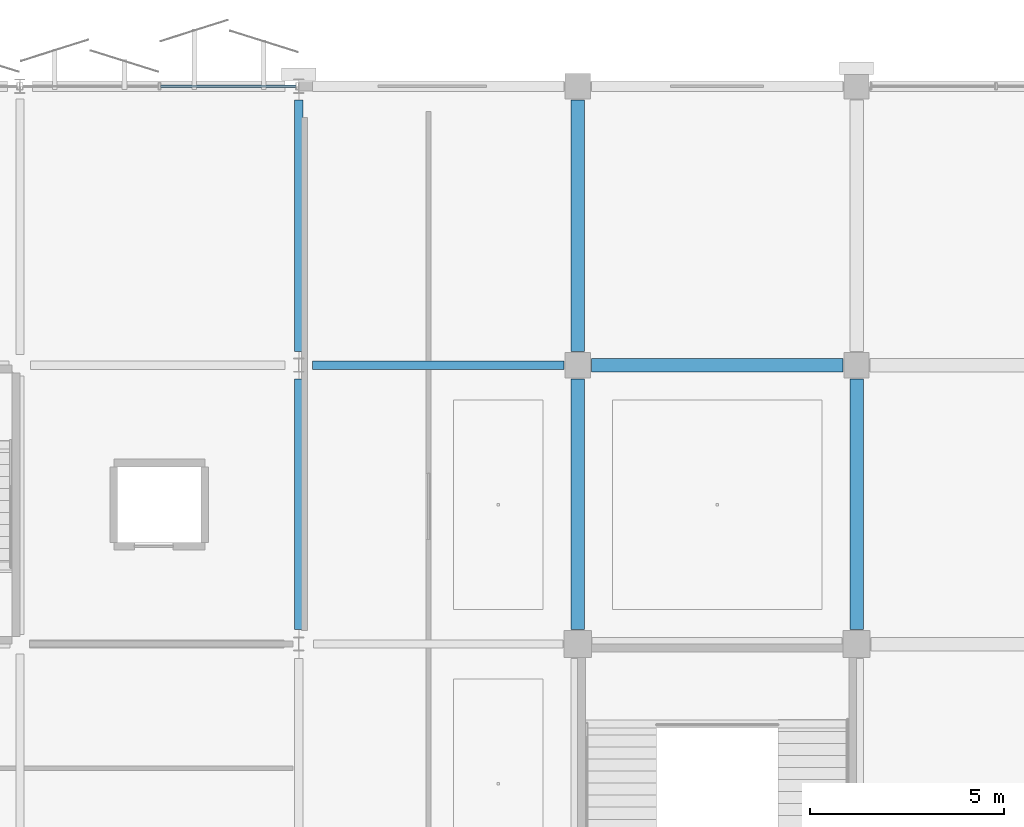
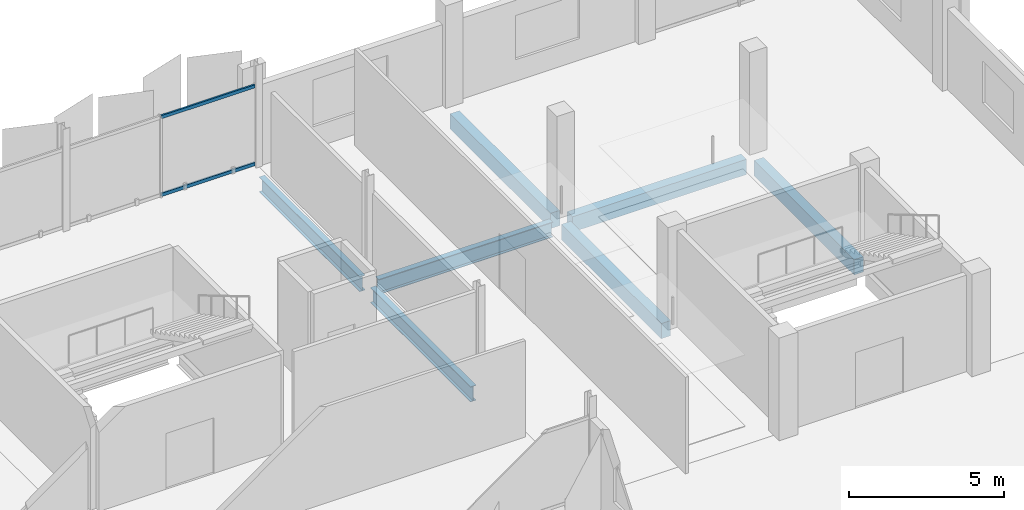
# One storey, part 56 of 91: 7 beams, 2 members, 1 element without a shape of its own.
"""IFC4 building model written with IfcOpenShell, lengths in metres."""

from ifc_helpers import new_model, si_unit, direction, frame, origin, origin_2d, place, context, subcontext, project, spatial, rectangle, hollow_rectangle, i_section, extrude, material, layer, layer_set, material_profile, profile_set, type_object, element, aggregate, save


model = new_model("IFC4")

# Units and contexts
model_context = context("Model", 3, precision=1e-05, world=origin(), true_north=direction((0.0, 1.0)))
body_context = subcontext(model_context, "Body", "Model", "MODEL_VIEW")
ifc_project = project(units=[si_unit("LENGTHUNIT", "METRE"), si_unit("AREAUNIT", "SQUARE_METRE"), si_unit("VOLUMEUNIT", "CUBIC_METRE"), si_unit("PLANEANGLEUNIT", "RADIAN"), si_unit("MASSUNIT", "GRAM", prefix="KILO")], contexts=[model_context])

# Site, building, storey
site_placement = place(None, origin())
site = spatial("IfcSite", under=ifc_project, at=site_placement, CompositionType="ELEMENT")
building_placement = place(site_placement, origin())
building = spatial("IfcBuilding", under=site, at=building_placement, Name="Kangsadwip Square Police Headquarters", CompositionType="ELEMENT")
storey_placement = place(building_placement, frame((0.0, 0.0, 13.5)))
storey = spatial("IfcBuildingStorey", under=building, at=storey_placement, Name="L03", CompositionType="ELEMENT", Elevation=13.5)

# Curtain wall, members
ifc_material_1 = material(Name="Thermally broken anodised aluminium AW-6063-T6", Category="aluminium")
ifc_layer = layer(ifc_material_1, 0.159912109375)
ifc_layer_set = layer_set([ifc_layer], Name="Thermally broken anodised aluminium AW-6063-T6")
curtain_wall_type = type_object("IfcCurtainWallType", Name="UnitisedCw7180x3200", PredefinedType="NOTDEFINED", material=ifc_layer_set)
curtain_wall_placement = place(storey_placement, origin())
curtain_wall = element("IfcCurtainWall", 1, at=curtain_wall_placement, inside=storey, type_object=curtain_wall_type, Name="Curtain Wall CW-L03-1368-1152", PredefinedType="NOTDEFINED")
ifc_material_2 = material(Name="Thermally broken anodised aluminium AW-6063-T6", Category="aluminium")
ifc_material_profile_1 = material_profile(ifc_material_2, hollow_rectangle(XDim=0.06494140625, YDim=0.1298828125, WallThickness=0.00390625, at=origin_2d()), Name="CWT 130X65X4")
ifc_profile_set_1 = profile_set([ifc_material_profile_1], Name="Thermally broken anodised aluminium AW-6063-T6")
member_type = type_object("IfcMemberType", Name="CwTransom140x60", PredefinedType="USERDEFINED", material=ifc_profile_set_1)
member_1_placement = place(storey_placement, frame((140.4326171875, 115.199951171875, 0.06494140625), z_axis=(1.0, 0.0, 0.0), x_axis=(0.0, 1.0, 0.0)))
member_1 = element("IfcMember", 2, at=member_1_placement, type_object=member_type, Name="CW-38 transom 2.1", ObjectType="TRANSOM", PredefinedType="USERDEFINED", context=body_context, shape_type="SweptSolid", body=[
    extrude(hollow_rectangle(XDim=0.06494140625, YDim=0.1298828125, WallThickness=0.00390625, at=origin_2d()), origin(), (0.0, 0.0, 1.0), 3.492431640625),
])
member_2_placement = place(storey_placement, frame((140.4326171875, 115.199951171875, 3.135009765625), z_axis=(1.0, 0.0, 0.0), x_axis=(0.0, 1.0, 0.0)))
member_2 = element("IfcMember", 3, at=member_2_placement, type_object=member_type, Name="CW-38 transom 2.2", ObjectType="TRANSOM", PredefinedType="USERDEFINED", context=body_context, shape_type="SweptSolid", body=[
    extrude(hollow_rectangle(XDim=0.06494140625, YDim=0.1298828125, WallThickness=0.00390625, at=origin_2d()), origin(), (0.0, 0.0, 1.0), 3.492431640625),
])
aggregate(curtain_wall, [member_1, member_2])

# Beams
ifc_material_3 = material(Name="Concrete M35 (35 MPa)", Category="concrete")
ifc_material_profile_2 = material_profile(ifc_material_3, rectangle(XDim=0.35009765625, YDim=0.60009765625, at=origin_2d()), Name="RC BM 600X350")
ifc_profile_set_2 = profile_set([ifc_material_profile_2], Name="Concrete M35 (35 MPa)")
beam_type_1 = type_object("IfcBeamType", Name="RcBeam600x350", PredefinedType="BEAM", material=ifc_profile_set_2)
beam_1_placement = place(storey_placement, frame((151.550048828125, 108.0, -0.5400390625), z_axis=(1.0, 0.0, 0.0), x_axis=(0.0, 1.0, 0.0)))
element("IfcBeam", 4, at=beam_1_placement, inside=storey, type_object=beam_type_1, Name="Beam BM-L03-X-21-15", PredefinedType="BEAM", context=body_context, shape_type="SweptSolid", body=[
    extrude(rectangle(XDim=0.35009765625, YDim=0.60009765625, at=origin_2d()), origin(), (0.0, 0.0, 1.0), 6.5),
])
beam_2_placement = place(storey_placement, frame((151.199951171875, 101.175048828125, -0.5400390625), z_axis=(0.0, 1.0, 0.0), x_axis=(-1.0, 0.0, 0.0)))
element("IfcBeam", 5, at=beam_2_placement, inside=storey, type_object=beam_type_1, Name="Beam BM-L03-Y-21-14", PredefinedType="BEAM", context=body_context, shape_type="SweptSolid", body=[
    extrude(rectangle(XDim=0.35009765625, YDim=0.60009765625, at=origin_2d()), origin(), (0.0, 0.0, 1.0), 6.474853515625),
])
beam_3_placement = place(storey_placement, frame((151.199951171875, 108.35009765625, -0.5400390625), z_axis=(0.0, 1.0, 0.0), x_axis=(-1.0, 0.0, 0.0)))
element("IfcBeam", 6, at=beam_3_placement, inside=storey, type_object=beam_type_1, Name="Beam BM-L03-Y-21-15", PredefinedType="BEAM", context=body_context, shape_type="SweptSolid", body=[
    extrude(rectangle(XDim=0.35009765625, YDim=0.60009765625, at=origin_2d()), origin(), (0.0, 0.0, 1.0), 6.5),
])
beam_4_placement = place(storey_placement, frame((158.39990234375, 101.175048828125, -0.5400390625), z_axis=(0.0, 1.0, 0.0), x_axis=(-1.0, 0.0, 0.0)))
element("IfcBeam", 7, at=beam_4_placement, inside=storey, type_object=beam_type_1, Name="Beam BM-L03-Y-22-14", PredefinedType="BEAM", context=body_context, shape_type="SweptSolid", body=[
    extrude(rectangle(XDim=0.35009765625, YDim=0.60009765625, at=origin_2d()), origin(), (0.0, 0.0, 1.0), 6.474853515625),
])
ifc_material_4 = material(Name="Structural steel IS 2062 E350 (Grade 350, 350 MPa)", Category="steel")
ifc_material_profile_3 = material_profile(ifc_material_4, i_section(OverallWidth=0.2099609375, OverallDepth=0.60009765625, WebThickness=0.011962890625, FlangeThickness=0.020751953125, at=origin_2d()), Name="ISMB 600")
ifc_profile_set_3 = profile_set([ifc_material_profile_3], Name="Structural steel IS 2062 E350 (Grade 350, 350 MPa)")
beam_type_2 = type_object("IfcBeamType", Name="SteelBeamIsmb600", PredefinedType="BEAM", material=ifc_profile_set_3)
beam_5_placement = place(storey_placement, frame((144.35009765625, 108.0, -0.5400390625), z_axis=(1.0, 0.0, 0.0), x_axis=(0.0, 1.0, 0.0)))
element("IfcBeam", 8, at=beam_5_placement, inside=storey, type_object=beam_type_2, Name="Beam BM-L03-X-20-15", PredefinedType="BEAM", context=body_context, shape_type="SweptSolid", body=[
    extrude(i_section(OverallWidth=0.2099609375, OverallDepth=0.60009765625, WebThickness=0.011962890625, FlangeThickness=0.020751953125, at=origin_2d()), origin(), (0.0, 0.0, 1.0), 6.5),
])
beam_6_placement = place(storey_placement, frame((144.0, 101.175048828125, -0.5400390625), z_axis=(0.0, 1.0, 0.0), x_axis=(-1.0, 0.0, 0.0)))
element("IfcBeam", 9, at=beam_6_placement, inside=storey, type_object=beam_type_2, Name="Beam BM-L03-Y-20-14", PredefinedType="BEAM", context=body_context, shape_type="SweptSolid", body=[
    extrude(i_section(OverallWidth=0.2099609375, OverallDepth=0.60009765625, WebThickness=0.011962890625, FlangeThickness=0.020751953125, at=origin_2d()), origin(), (0.0, 0.0, 1.0), 6.474853515625),
])
beam_7_placement = place(storey_placement, frame((144.0, 108.35009765625, -0.5400390625), z_axis=(0.0, 1.0, 0.0), x_axis=(-1.0, 0.0, 0.0)))
element("IfcBeam", 10, at=beam_7_placement, inside=storey, type_object=beam_type_2, Name="Beam BM-L03-Y-20-15", PredefinedType="BEAM", context=body_context, shape_type="SweptSolid", body=[
    extrude(i_section(OverallWidth=0.2099609375, OverallDepth=0.60009765625, WebThickness=0.011962890625, FlangeThickness=0.020751953125, at=origin_2d()), origin(), (0.0, 0.0, 1.0), 6.5),
])

save(model, "model.ifc")
